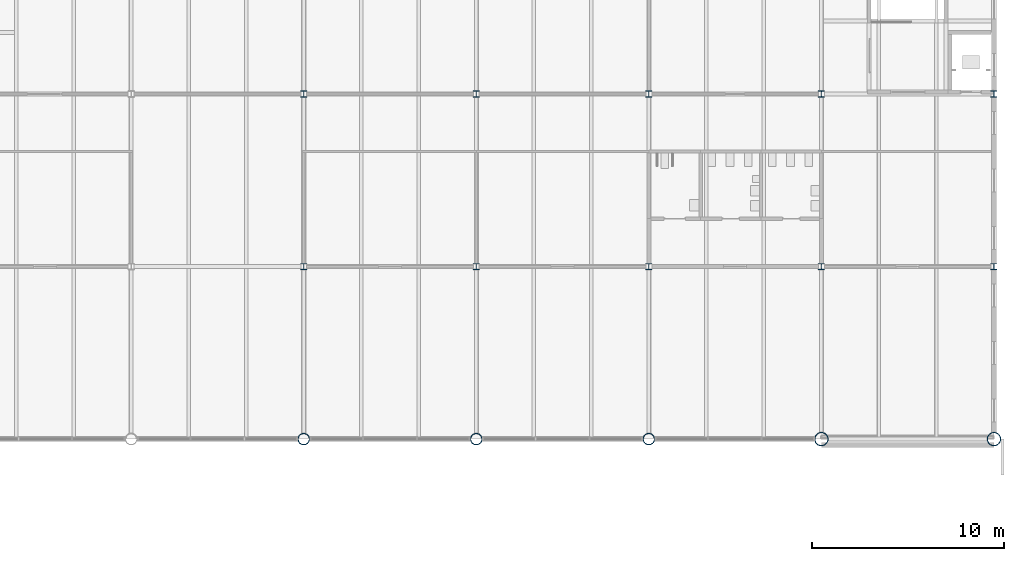
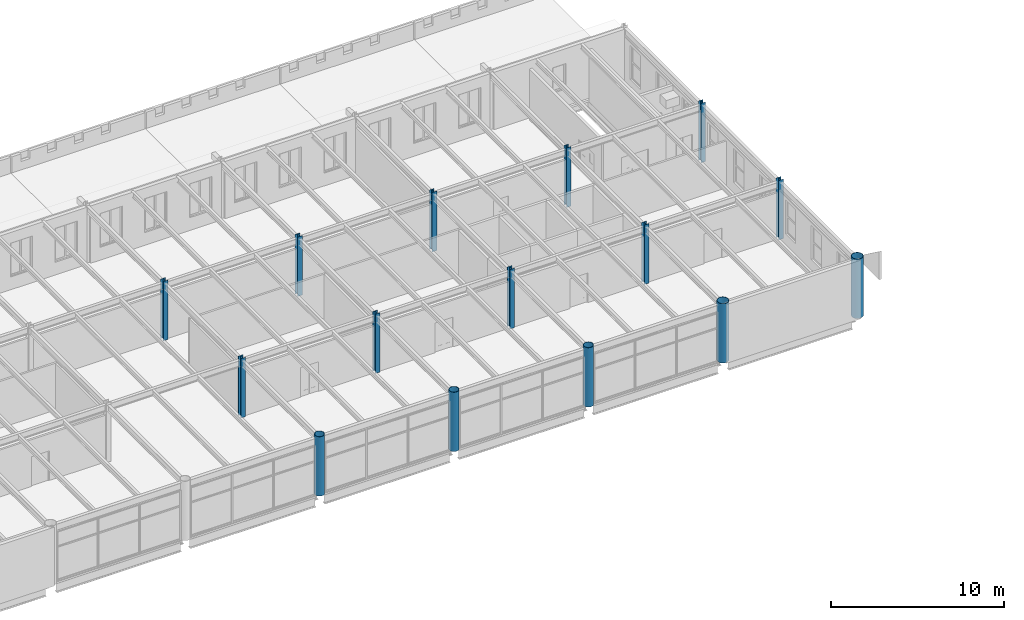
# One storey, part 19 of 123: 15 columns.
"""IFC4 building model written with IfcOpenShell, lengths in metres."""

from ifc_helpers import new_model, si_unit, direction, frame, origin, origin_2d, place, context, subcontext, project, spatial, hollow_circle, i_section, extrude, material, material_profile, profile_set, type_object, element, save


model = new_model("IFC4")

# Units and contexts
model_context = context("Model", 3, precision=1e-05, world=origin(), true_north=direction((0.0, 1.0)))
body_context = subcontext(model_context, "Body", "Model", "MODEL_VIEW")
ifc_project = project(units=[si_unit("LENGTHUNIT", "METRE"), si_unit("AREAUNIT", "SQUARE_METRE"), si_unit("VOLUMEUNIT", "CUBIC_METRE"), si_unit("PLANEANGLEUNIT", "RADIAN"), si_unit("MASSUNIT", "GRAM", prefix="KILO")], contexts=[model_context])

# Site, building, storey
site_placement = place(None, origin())
site = spatial("IfcSite", under=ifc_project, at=site_placement, CompositionType="ELEMENT")
building_placement = place(site_placement, origin())
building = spatial("IfcBuilding", under=site, at=building_placement, Name="Baradari Gate Terminus", CompositionType="ELEMENT")
storey_placement = place(building_placement, frame((0.0, 0.0, 7.5)))
storey = spatial("IfcBuildingStorey", under=building, at=storey_placement, Name="L01", CompositionType="ELEMENT", Elevation=7.5)

# Columns
ifc_material_1 = material(Name="Steel S355", Category="steel")
ifc_material_profile_1 = material_profile(ifc_material_1, hollow_circle(Radius=0.35546875, WallThickness=0.02490234375, at=origin_2d()), Name="CHS 711x25")
ifc_profile_set_1 = profile_set([ifc_material_profile_1], Name="Steel S355")
column_type_1 = type_object("IfcColumnType", Name="Braced north shed column C10 CHS 711x25", PredefinedType="COLUMN", material=ifc_profile_set_1)
for number, where, z_axis, x_axis, name in (
    (1, (234.0, 81.0, 0.0), (0.0, 0.0, 1.0), (1.0, 0.0, 0.0), "C10 column 27-K L01"),
    (2, (243.0, 81.0, 0.0), (0.0, 0.0, 1.0), (1.0, 0.0, 0.0), "C10 column 28-K L01"),
):
    element("IfcColumn", number, at=place(storey_placement, frame(where, z_axis=z_axis, x_axis=x_axis)), inside=storey, type_object=column_type_1, Name=name, PredefinedType="COLUMN", context=body_context, shape_type="SweptSolid", body=[
        extrude(hollow_circle(Radius=0.35546875, WallThickness=0.02490234375, at=origin_2d()), origin(), (0.0, 0.0, 1.0), 4.199951171875),
    ])
ifc_material_2 = material(Name="Steel S355", Category="steel")
ifc_material_profile_2 = material_profile(ifc_material_2, i_section(OverallWidth=0.307373046875, OverallDepth=0.314453125, WebThickness=0.011962890625, FlangeThickness=0.018798828125, FilletRadius=0.01513671875, at=origin_2d()), Name="UC 305x305x118")
ifc_profile_set_2 = profile_set([ifc_material_profile_2], Name="Steel S355")
column_type_2 = type_object("IfcColumnType", Name="Head-house column C07 UC 305x305x118", PredefinedType="COLUMN", material=ifc_profile_set_2)
for number, where, z_axis, x_axis, name in (
    (3, (207.0, 90.0, 0.0), (0.0, 0.0, 1.0), (1.0, 0.0, 0.0), "C07 column 24-L L01"),
    (4, (207.0, 99.0, 0.0), (0.0, 0.0, 1.0), (1.0, 0.0, 0.0), "C07 column 24-M L01"),
    (5, (216.0, 90.0, 0.0), (0.0, 0.0, 1.0), (1.0, 0.0, 0.0), "C07 column 25-L L01"),
    (6, (216.0, 99.0, 0.0), (0.0, 0.0, 1.0), (1.0, 0.0, 0.0), "C07 column 25-M L01"),
    (7, (225.0, 90.0, 0.0), (0.0, 0.0, 1.0), (1.0, 0.0, 0.0), "C07 column 26-L L01"),
    (8, (225.0, 99.0, 0.0), (0.0, 0.0, 1.0), (1.0, 0.0, 0.0), "C07 column 26-M L01"),
    (9, (234.0, 90.0, 0.0), (0.0, 0.0, 1.0), (1.0, 0.0, 0.0), "C07 column 27-L L01"),
    (10, (234.0, 99.0, 0.0), (0.0, 0.0, 1.0), (1.0, 0.0, 0.0), "C07 column 27-M L01"),
    (11, (243.0, 90.0, 0.0), (0.0, 0.0, 1.0), (1.0, 0.0, 0.0), "C07 column 28-L L01"),
    (12, (243.0, 99.0, 0.0), (0.0, 0.0, 1.0), (1.0, 0.0, 0.0), "C07 column 28-M L01"),
):
    element("IfcColumn", number, at=place(storey_placement, frame(where, z_axis=z_axis, x_axis=x_axis)), inside=storey, type_object=column_type_2, Name=name, PredefinedType="COLUMN", context=body_context, shape_type="SweptSolid", body=[
        extrude(i_section(OverallWidth=0.307373046875, OverallDepth=0.314453125, WebThickness=0.011962890625, FlangeThickness=0.018798828125, FilletRadius=0.01513671875, at=origin_2d()), origin(), (0.0, 0.0, 1.0), 4.199951171875),
    ])
ifc_material_3 = material(Name="Steel S355", Category="steel")
ifc_material_profile_3 = material_profile(ifc_material_3, hollow_circle(Radius=0.304931640625, WallThickness=0.02490234375, at=origin_2d()), Name="CHS 610x25")
ifc_profile_set_3 = profile_set([ifc_material_profile_3], Name="Steel S355")
column_type_3 = type_object("IfcColumnType", Name="North shed column C12 CHS 610x25", PredefinedType="COLUMN", material=ifc_profile_set_3)
for number, where, z_axis, x_axis, name in (
    (13, (207.0, 81.0, 0.0), (0.0, 0.0, 1.0), (1.0, 0.0, 0.0), "C12 column 24-K L01"),
    (14, (216.0, 81.0, 0.0), (0.0, 0.0, 1.0), (1.0, 0.0, 0.0), "C12 column 25-K L01"),
    (15, (225.0, 81.0, 0.0), (0.0, 0.0, 1.0), (1.0, 0.0, 0.0), "C12 column 26-K L01"),
):
    element("IfcColumn", number, at=place(storey_placement, frame(where, z_axis=z_axis, x_axis=x_axis)), inside=storey, type_object=column_type_3, Name=name, PredefinedType="COLUMN", context=body_context, shape_type="SweptSolid", body=[
        extrude(hollow_circle(Radius=0.304931640625, WallThickness=0.02490234375, at=origin_2d()), origin(), (0.0, 0.0, 1.0), 4.199951171875),
    ])

save(model, "model.ifc")
